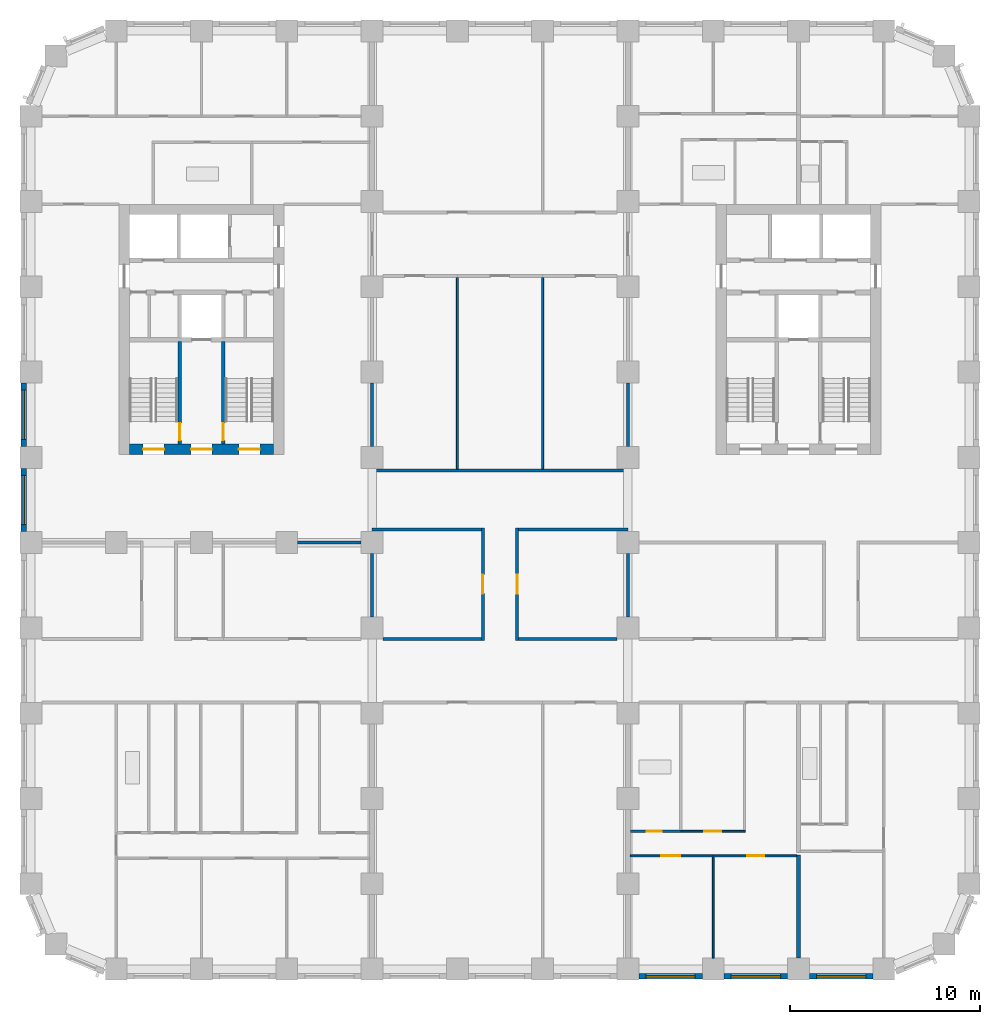
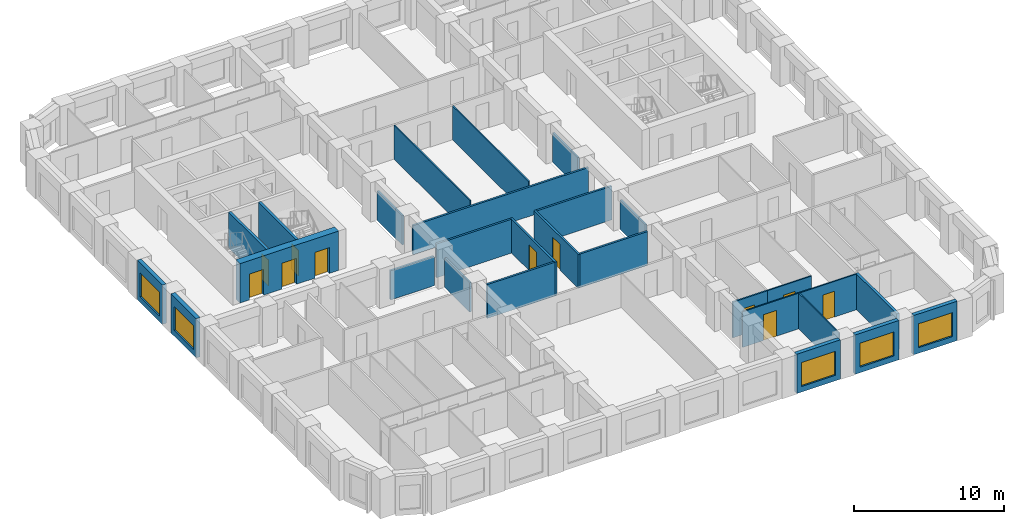
# One storey, part 4 of 13: 28 walls, 11 doors, 5 windows, 16 openings.
"""IFC4 building model written with IfcOpenShell, lengths in metres."""

import ifcopenshell
import ifcopenshell.guid

model = None  # the IFC model being written
_history = None  # IfcOwnerHistory: only IFC2X3 demands one
_inside = {}  # id of a spatial element -> (the spatial element, [elements in it])
_under = {}  # id of a project, library or spatial element -> (it, [spatial elements below it])
_declared = {}  # id of a project -> (the project, [libraries it declares])
_typed = {}  # id of a type object -> (the type object, [elements of that type])
_made_of = {}  # id of a material, layer set ... -> (it, [elements and type objects made of it])


def new_model(schema):
    """Start an empty IFC model of exactly this schema.

    Asked for "IFC4X3", IfcOpenShell would pick the latest addendum, in which some entities
    have other attributes; the version numbers below select the first issue.
    IFC2X3 requires an IfcOwnerHistory on every rooted entity: one is made here for all.
    """
    global model, _history
    if schema == "IFC4X3":
        model = ifcopenshell.file(schema_version=(4, 3, 0, 0))
    else:
        model = ifcopenshell.file(schema=schema)
    _inside.clear()
    _under.clear()
    _declared.clear()
    _typed.clear()
    _made_of.clear()
    _history = None
    if model.schema == "IFC2X3":
        org = make("IfcOrganization", Name="unknown")
        user = make(
            "IfcPersonAndOrganization",
            ThePerson=make("IfcPerson", FamilyName="unknown"),
            TheOrganization=org,
        )
        app = make(
            "IfcApplication",
            ApplicationDeveloper=org,
            Version="unknown",
            ApplicationFullName="unknown",
            ApplicationIdentifier="unknown",
        )
        _history = make(
            "IfcOwnerHistory",
            OwningUser=user,
            OwningApplication=app,
            ChangeAction="ADDED",
            CreationDate=0,
        )
    return model


def make(cls, **values):
    """One entity of the class cls with the attributes given. An attribute that is None is left unset."""
    return model.create_entity(
        cls, **{name: value for name, value in values.items() if value is not None}
    )


def rooted(cls, **values):
    """An entity with a GlobalId (a new one), such as an element, a storey or a relation."""
    return make(cls, GlobalId=ifcopenshell.guid.new(), OwnerHistory=_history, **values)


def si_unit(unit_type, name, prefix=None):
    """IfcSIUnit, for example si_unit("LENGTHUNIT", "METRE", prefix="MILLI")."""
    return make("IfcSIUnit", UnitType=unit_type, Prefix=prefix, Name=name)


def assignment(units):
    """IfcUnitAssignment: the units of a project."""
    return None if units is None else make("IfcUnitAssignment", Units=units)


def point(xyz):
    """IfcCartesianPoint."""
    return None if xyz is None else make("IfcCartesianPoint", Coordinates=xyz)


def direction(xyz):
    """IfcDirection."""
    return None if xyz is None else make("IfcDirection", DirectionRatios=xyz)


def frame(location, z_axis=None, x_axis=None):
    """IfcAxis2Placement3D, a coordinate frame: its origin and axes. An axis left out is left unset."""
    return make(
        "IfcAxis2Placement3D",
        Location=point(location),
        Axis=direction(z_axis),
        RefDirection=direction(x_axis),
    )


def frame_2d(location, x_axis=None):
    """IfcAxis2Placement2D, a coordinate frame in the plane: its origin and x axis."""
    return make(
        "IfcAxis2Placement2D", Location=point(location), RefDirection=direction(x_axis)
    )


def origin():
    """The frame at (0, 0, 0) with its axes left unset."""
    return frame((0.0, 0.0, 0.0))


def place(relative_to, where):
    """IfcLocalPlacement: puts the frame where relative to a parent placement (None: the world)."""
    return make(
        "IfcLocalPlacement", PlacementRelTo=relative_to, RelativePlacement=where
    )


def context(
    kind, dimensions, precision=None, world=None, true_north=None, identifier=None
):
    """IfcGeometricRepresentationContext, for example the 3D "Model" context."""
    return make(
        "IfcGeometricRepresentationContext",
        ContextIdentifier=identifier,
        ContextType=kind,
        CoordinateSpaceDimension=dimensions,
        Precision=precision,
        WorldCoordinateSystem=world,
        TrueNorth=true_north,
    )


def subcontext(parent, identifier, kind, view, scale=None):
    """IfcGeometricRepresentationSubContext, for example "Body" below "Model"."""
    return make(
        "IfcGeometricRepresentationSubContext",
        ContextIdentifier=identifier,
        ContextType=kind,
        ParentContext=parent,
        TargetScale=scale,
        TargetView=view,
    )


def project(units=None, contexts=None):
    """IfcProject with its units and contexts."""
    return rooted(
        "IfcProject",
        Name="project",
        RepresentationContexts=contexts,
        UnitsInContext=assignment(units),
    )


def spatial(cls, under=None, at=None, **own):
    """A site, building, storey or space (cls), placed at a placement, below another one or the project."""
    s = rooted(cls, ObjectPlacement=at, **own)
    if under is not None:
        _under.setdefault(under.id(), (under, []))[1].append(s)
    return s


def profile(cls, at=None, kind="AREA", **sizes):
    """A parametric profile (cls). Its sizes go by their IFC names, for example OverallWidth=200.0."""
    return make(cls, ProfileType=kind, Position=at, **sizes)


def rectangle(**sizes):
    """IfcRectangleProfileDef."""
    return profile("IfcRectangleProfileDef", **sizes)


def extrude(swept, where, along, depth):
    """IfcExtrudedAreaSolid: the profile swept, set in the frame where, extruded along a direction by depth."""
    return make(
        "IfcExtrudedAreaSolid",
        SweptArea=swept,
        Position=where,
        ExtrudedDirection=direction(along),
        Depth=depth,
    )


def shape(context_of_items, identifier, shape_type, items):
    """IfcShapeRepresentation: the items that make up one representation, for example the "Body"."""
    return make(
        "IfcShapeRepresentation",
        ContextOfItems=context_of_items,
        RepresentationIdentifier=identifier,
        RepresentationType=shape_type,
        Items=items,
    )


def material(Name=None, Category=None):
    """IfcMaterial."""
    return make("IfcMaterial", Name=Name, Category=Category)


def layer(
    of_material, thickness, ventilated=None, Name=None, Category=None, Priority=None
):
    """IfcMaterialLayer: one layer of a wall or slab, of a material (None: an air gap)."""
    return make(
        "IfcMaterialLayer",
        Material=of_material,
        LayerThickness=thickness,
        IsVentilated=ventilated,
        Name=Name,
        Category=Category,
        Priority=Priority,
    )


def layer_set(layers, Name=None):
    """IfcMaterialLayerSet."""
    return make("IfcMaterialLayerSet", MaterialLayers=layers, LayerSetName=Name)


def made_of(thing, what):
    """Note that an element or type object is made of a material, layer set ...; save() writes the relation."""
    if what is not None:
        _made_of.setdefault(what.id(), (what, []))[1].append(thing)
    return thing


def type_object(cls, material=None, **own):
    """A type object (cls), such as IfcWallType, which elements share."""
    return made_of(rooted(cls, **own), material)


def element(
    cls,
    number,
    at=None,
    inside=None,
    cuts=None,
    type_object=None,
    material=None,
    context=None,
    identifier="Body",
    shape_type=None,
    held_by="IfcProductDefinitionShape",
    body=None,
    shapes=None,
    **own,
):
    """One element of the class cls, such as IfcWall. Its Tag is "e" and its number.

    at: its placement. inside: the storey or other place that contains it. cuts: it is an
    opening in that element (IfcRelVoidsElement). A single representation is given by context,
    identifier, shape_type and body (its items); several are given by shapes. held_by: the class
    of the entity that holds the representations. save() writes the other relations.
    """
    e = rooted(cls, Tag="e%d" % number, ObjectPlacement=at, **own)
    if body is not None:
        shapes = [shape(context, identifier, shape_type, body)]
    if shapes is not None:
        e.Representation = make(held_by, Representations=shapes)
    if inside is not None:
        _inside.setdefault(inside.id(), (inside, []))[1].append(e)
    if cuts is not None:
        rooted(
            "IfcRelVoidsElement", RelatingBuildingElement=cuts, RelatedOpeningElement=e
        )
    if type_object is not None:
        _typed.setdefault(type_object.id(), (type_object, []))[1].append(e)
    return made_of(e, material)


def fill(opening, filler):
    """IfcRelFillsElement: the door or window that sits in an opening."""
    return rooted(
        "IfcRelFillsElement",
        RelatingOpeningElement=opening,
        RelatedBuildingElement=filler,
    )


def aggregate(whole, parts):
    """IfcRelAggregates: a whole, such as a stair, and the parts it consists of."""
    return rooted("IfcRelAggregates", RelatingObject=whole, RelatedObjects=parts)


def save(model, path):
    """Write the relations noted so far, then the file.

    IfcRelAggregates (storeys below a building ...), IfcRelContainedInSpatialStructure (elements
    in a storey), IfcRelDefinesByType, IfcRelAssociatesMaterial and IfcRelDeclares: one each for
    every whole, place, type object, material and project.
    """
    for whole, parts in _under.values():
        aggregate(whole, parts)
    for where, things in _inside.values():
        rooted(
            "IfcRelContainedInSpatialStructure",
            RelatedElements=things,
            RelatingStructure=where,
        )
    for kind, things in _typed.values():
        rooted("IfcRelDefinesByType", RelatedObjects=things, RelatingType=kind)
    for what, things in _made_of.values():
        rooted("IfcRelAssociatesMaterial", RelatedObjects=things, RelatingMaterial=what)
    for by, libraries in _declared.values():
        rooted("IfcRelDeclares", RelatingContext=by, RelatedDefinitions=libraries)
    model.write(path)


model = new_model("IFC4")

# Units and contexts
model_context = context("Model", 3, precision=1e-05, world=origin(), true_north=direction((0.0, 1.0)))
body_context = subcontext(model_context, "Body", "Model", "MODEL_VIEW")
ifc_project = project(units=[si_unit("LENGTHUNIT", "METRE"), si_unit("AREAUNIT", "SQUARE_METRE"), si_unit("VOLUMEUNIT", "CUBIC_METRE"), si_unit("PLANEANGLEUNIT", "RADIAN"), si_unit("MASSUNIT", "GRAM", prefix="KILO")], contexts=[model_context])

# Site, building, storey
site_placement = place(None, origin())
site = spatial("IfcSite", under=ifc_project, at=site_placement, CompositionType="ELEMENT")
building_placement = place(site_placement, origin())
building = spatial("IfcBuilding", under=site, at=building_placement, Name="Girih Gate Residences", CompositionType="ELEMENT")
storey_placement = place(building_placement, frame((0.0, 0.0, 99.199951171875)))
storey = spatial("IfcBuildingStorey", under=building, at=storey_placement, Name="L27", CompositionType="ELEMENT", Elevation=99.199951171875)

# Wall, opening, door
ifc_material_1 = material(Name="Gypsum board on steel studs", Category="steel")
ifc_layer_1 = layer(ifc_material_1, 0.14990234375)
ifc_layer_set_1 = layer_set([ifc_layer_1], Name="Compartment wall 150 mm")
wall_type_1 = type_object("IfcWallType", Name="Compartment wall 150 mm", PredefinedType="PARTITIONING", material=ifc_layer_set_1)
wall_1_placement = place(storey_placement, frame((23.85009765625, 17.35009765625, 0.0), z_axis=(0.0, 0.0, 1.0), x_axis=(0.0, 1.0, 0.0)))
wall_1 = element("IfcWall", 1, at=wall_1_placement, inside=storey, type_object=wall_type_1, Name="L27 partition", PredefinedType="PARTITIONING", context=body_context, shape_type="SweptSolid", body=[
    extrude(rectangle(XDim=5.9248046875, YDim=0.14990234375, at=frame_2d((2.96240234375, 0.0))), origin(), (0.0, 0.0, 1.0), 2.75),
])
opening_1_placement = place(wall_1_placement, frame((2.46240234375, 0.0, 0.0)))
opening_1 = element("IfcOpeningElement", 2, at=opening_1_placement, cuts=wall_1, Name="Opening A27-048", PredefinedType="OPENING", context=body_context, shape_type="SweptSolid", body=[
    extrude(rectangle(XDim=1.0, YDim=2.10009765625, at=frame_2d((0.5, 1.050048828125))), frame((0.0, 0.0849609375, 0.0), z_axis=(0.0, -1.0, 0.0), x_axis=(1.0, 0.0, 0.0)), (0.0, 0.0, 1.0), 0.169921875),
])
ifc_material_2 = material(Name="Timber, fire-rated core", Category="wood")
door_type_1 = type_object("IfcDoorType", Name="Amenity room door 1000x2100 FD30S", OperationType="NOTDEFINED", PredefinedType="DOOR", material=ifc_material_2)
door_1_placement = place(opening_1_placement, origin())
door_1 = element("IfcDoor", 3, at=door_1_placement, inside=storey, type_object=door_type_1, Name="Door A27-048", OperationType="SINGLE_SWING_RIGHT", OverallHeight=2.10009765625, OverallWidth=1.0, PredefinedType="DOOR", context=body_context, shape_type="SweptSolid", body=[
    extrude(rectangle(XDim=1.0, YDim=2.10009765625, at=frame_2d((0.5, 1.050048828125))), frame((0.0, 0.02490234375, 0.0), z_axis=(0.0, -1.0, 0.0), x_axis=(1.0, 0.0, 0.0)), (0.0, 0.0, 1.0), 0.050048828125),
])
fill(opening_1, door_1)

wall_2_placement = place(storey_placement, frame((25.64990234375, 23.27490234375, 0.0), z_axis=(0.0, 0.0, 1.0), x_axis=(0.0, -1.0, 0.0)))
wall_2 = element("IfcWall", 4, at=wall_2_placement, inside=storey, type_object=wall_type_1, Name="L27 partition", PredefinedType="PARTITIONING", context=body_context, shape_type="SweptSolid", body=[
    extrude(rectangle(XDim=5.9248046875, YDim=0.14990234375, at=frame_2d((2.96240234375, 0.0))), origin(), (0.0, 0.0, 1.0), 2.75),
])
opening_2_placement = place(wall_2_placement, frame((2.46240234375, 0.0, 0.0)))
opening_2 = element("IfcOpeningElement", 5, at=opening_2_placement, cuts=wall_2, Name="Opening A27-049", PredefinedType="OPENING", context=body_context, shape_type="SweptSolid", body=[
    extrude(rectangle(XDim=1.0, YDim=2.10009765625, at=frame_2d((0.5, 1.050048828125))), frame((0.0, 0.0849609375, 0.0), z_axis=(0.0, -1.0, 0.0), x_axis=(1.0, 0.0, 0.0)), (0.0, 0.0, 1.0), 0.169921875),
])
door_2_placement = place(opening_2_placement, origin())
door_2 = element("IfcDoor", 6, at=door_2_placement, inside=storey, type_object=door_type_1, Name="Door A27-049", OperationType="SINGLE_SWING_RIGHT", OverallHeight=2.10009765625, OverallWidth=1.0, PredefinedType="DOOR", context=body_context, shape_type="SweptSolid", body=[
    extrude(rectangle(XDim=1.0, YDim=2.10009765625, at=frame_2d((0.5, 1.050048828125))), frame((0.0, 0.02490234375, 0.0), z_axis=(0.0, -1.0, 0.0), x_axis=(1.0, 0.0, 0.0)), (0.0, 0.0, 1.0), 0.050048828125),
])
fill(opening_2, door_2)

# Walls
for number, where, z_axis, x_axis, name in (
    (7, (18.574951171875, 17.425048828125, 0.0), (0.0, 0.0, 1.0), (1.0, 0.0, 0.0), "L27 partition"),
    (8, (25.72509765625, 17.425048828125, 0.0), (0.0, 0.0, 1.0), (1.0, 0.0, 0.0), "L27 partition"),
):
    element("IfcWall", number, at=place(storey_placement, frame(where, z_axis=z_axis, x_axis=x_axis)), inside=storey, type_object=wall_type_1, Name=name, PredefinedType="PARTITIONING", context=body_context, shape_type="SweptSolid", body=[
        extrude(rectangle(XDim=5.199951171875, YDim=0.14990234375, at=frame_2d((2.60009765625, 0.0))), origin(), (0.0, 0.0, 1.0), 2.75),
    ])
wall_3_placement = place(storey_placement, frame((18.0, 27.574951171875, 0.0), z_axis=(0.0, 0.0, 1.0), x_axis=(0.0, 1.0, 0.0)))
element("IfcWall", 9, at=wall_3_placement, inside=storey, type_object=wall_type_1, Name="L27 partition", PredefinedType="PARTITIONING", context=body_context, shape_type="SweptSolid", body=[
    extrude(rectangle(XDim=3.35009765625, YDim=0.14990234375, at=frame_2d((1.675048828125, 0.0))), origin(), (0.0, 0.0, 1.0), 2.380126953125),
])
wall_4_placement = place(storey_placement, frame((18.0, 26.300048828125, 0.0), z_axis=(0.0, 0.0, 1.0), x_axis=(1.0, 0.0, 0.0)))
element("IfcWall", 10, at=wall_4_placement, inside=storey, type_object=wall_type_1, Name="L27 partition", PredefinedType="PARTITIONING", context=body_context, shape_type="SweptSolid", body=[
    extrude(rectangle(XDim=13.5, YDim=0.14990234375, at=frame_2d((6.75, 0.0))), origin(), (0.0, 0.0, 1.0), 2.380126953125),
])
wall_5_placement = place(storey_placement, frame((31.5, 27.574951171875, 0.0), z_axis=(0.0, 0.0, 1.0), x_axis=(0.0, 1.0, 0.0)))
element("IfcWall", 11, at=wall_5_placement, inside=storey, type_object=wall_type_1, Name="L27 partition", PredefinedType="PARTITIONING", context=body_context, shape_type="SweptSolid", body=[
    extrude(rectangle(XDim=3.35009765625, YDim=0.14990234375, at=frame_2d((1.675048828125, 0.0))), origin(), (0.0, 0.0, 1.0), 2.380126953125),
])
wall_6_placement = place(storey_placement, frame((18.0, 23.199951171875, 0.0), z_axis=(0.0, 0.0, 1.0), x_axis=(1.0, 0.0, 0.0)))
element("IfcWall", 12, at=wall_6_placement, inside=storey, type_object=wall_type_1, Name="L27 partition", PredefinedType="PARTITIONING", context=body_context, shape_type="SweptSolid", body=[
    extrude(rectangle(XDim=5.77490234375, YDim=0.14990234375, at=frame_2d((2.887451171875, 0.0))), origin(), (0.0, 0.0, 1.0), 2.75),
])
wall_7_placement = place(storey_placement, frame((18.0, 18.574951171875, 0.0), z_axis=(0.0, 0.0, 1.0), x_axis=(0.0, 1.0, 0.0)))
element("IfcWall", 13, at=wall_7_placement, inside=storey, type_object=wall_type_1, Name="L27 partition", PredefinedType="PARTITIONING", context=body_context, shape_type="SweptSolid", body=[
    extrude(rectangle(XDim=3.35009765625, YDim=0.14990234375, at=frame_2d((1.675048828125, 0.0))), origin(), (0.0, 0.0, 1.0), 2.380126953125),
])
wall_8_placement = place(storey_placement, frame((25.72509765625, 23.199951171875, 0.0), z_axis=(0.0, 0.0, 1.0), x_axis=(1.0, 0.0, 0.0)))
element("IfcWall", 14, at=wall_8_placement, inside=storey, type_object=wall_type_1, Name="L27 partition", PredefinedType="PARTITIONING", context=body_context, shape_type="SweptSolid", body=[
    extrude(rectangle(XDim=5.77490234375, YDim=0.14990234375, at=frame_2d((2.887451171875, 0.0))), origin(), (0.0, 0.0, 1.0), 2.75),
])
for number, where, z_axis, x_axis, name in (
    (15, (31.5, 18.574951171875, 0.0), (0.0, 0.0, 1.0), (0.0, 1.0, 0.0), "L27 partition"),
    (16, (14.074951171875, 22.5, 0.0), (0.0, 0.0, 1.0), (1.0, 0.0, 0.0), "L27 partition"),
):
    element("IfcWall", number, at=place(storey_placement, frame(where, z_axis=z_axis, x_axis=x_axis)), inside=storey, type_object=wall_type_1, Name=name, PredefinedType="PARTITIONING", context=body_context, shape_type="SweptSolid", body=[
        extrude(rectangle(XDim=3.35009765625, YDim=0.14990234375, at=frame_2d((1.675048828125, 0.0))), origin(), (0.0, 0.0, 1.0), 2.380126953125),
    ])

# Wall, openings, doors
ifc_material_3 = material(Name="Concrete C60/75", Category="concrete")
ifc_layer_2 = layer(ifc_material_3, 0.550048828125)
ifc_layer_set_2 = layer_set([ifc_layer_2], Name="Core wall RC 550 Concrete C60/75")
wall_type_2 = type_object("IfcWallType", Name="Core wall RC 550 Concrete C60/75", PredefinedType="SOLIDWALL", material=ifc_layer_set_2)
wall_9_placement = place(storey_placement, frame((5.199951171875, 27.425048828125, 0.0), z_axis=(0.0, 0.0, 1.0), x_axis=(1.0, 0.0, 0.0)))
wall_9 = element("IfcWall", 17, at=wall_9_placement, inside=storey, type_object=wall_type_2, Name="Core wall W-S L27", PredefinedType="SOLIDWALL", context=body_context, shape_type="SweptSolid", body=[
    extrude(rectangle(XDim=7.60009765625, YDim=0.550048828125, at=frame_2d((3.800048828125, 0.0))), origin(), (0.0, 0.0, 1.0), 3.199951171875),
])
opening_3_placement = place(wall_9_placement, frame((0.72509765625, 0.0, 0.0)))
opening_3 = element("IfcOpeningElement", 18, at=opening_3_placement, cuts=wall_9, Name="Opening D-L27-W-010", PredefinedType="OPENING", context=body_context, shape_type="SweptSolid", body=[
    extrude(rectangle(XDim=1.10009765625, YDim=2.10009765625, at=frame_2d((0.550048828125, 1.050048828125))), frame((0.0, 0.284912109375, 0.0), z_axis=(0.0, -1.0, 0.0), x_axis=(1.0, 0.0, 0.0)), (0.0, 0.0, 1.0), 0.570068359375),
])
opening_4_placement = place(wall_9_placement, frame((3.25, 0.0, 0.0)))
opening_4 = element("IfcOpeningElement", 19, at=opening_4_placement, cuts=wall_9, Name="Opening D-L27-W-011", PredefinedType="OPENING", context=body_context, shape_type="SweptSolid", body=[
    extrude(rectangle(XDim=1.10009765625, YDim=2.10009765625, at=frame_2d((0.550048828125, 1.050048828125))), frame((0.0, 0.284912109375, 0.0), z_axis=(0.0, -1.0, 0.0), x_axis=(1.0, 0.0, 0.0)), (0.0, 0.0, 1.0), 0.570068359375),
])
opening_5_placement = place(wall_9_placement, frame((5.77490234375, 0.0, 0.0)))
opening_5 = element("IfcOpeningElement", 20, at=opening_5_placement, cuts=wall_9, Name="Opening D-L27-W-012", PredefinedType="OPENING", context=body_context, shape_type="SweptSolid", body=[
    extrude(rectangle(XDim=1.10009765625, YDim=2.10009765625, at=frame_2d((0.550048828125, 1.050048828125))), frame((0.0, 0.284912109375, 0.0), z_axis=(0.0, -1.0, 0.0), x_axis=(1.0, 0.0, 0.0)), (0.0, 0.0, 1.0), 0.570068359375),
])
ifc_material_4 = material(Name="Painted steel, fire-resisting", Category="steel")
door_type_2 = type_object("IfcDoorType", Name="Fire door 1100x2100", OperationType="SINGLE_SWING_LEFT", PredefinedType="DOOR", material=ifc_material_4)
door_3_placement = place(opening_3_placement, origin())
door_3 = element("IfcDoor", 21, at=door_3_placement, inside=storey, type_object=door_type_2, Name="L27 W core door sta-out", OperationType="SINGLE_SWING_LEFT", OverallHeight=2.10009765625, OverallWidth=1.10009765625, PredefinedType="DOOR", context=body_context, shape_type="SweptSolid", body=[
    extrude(rectangle(XDim=1.10009765625, YDim=2.10009765625, at=frame_2d((0.550048828125, 1.050048828125))), frame((0.0, 0.02490234375, 0.0), z_axis=(0.0, -1.0, 0.0), x_axis=(1.0, 0.0, 0.0)), (0.0, 0.0, 1.0), 0.050048828125),
])
fill(opening_3, door_3)
door_4_placement = place(opening_4_placement, origin())
door_4 = element("IfcDoor", 22, at=door_4_placement, inside=storey, type_object=door_type_2, Name="L27 W core door ffl-out", OperationType="SINGLE_SWING_LEFT", OverallHeight=2.10009765625, OverallWidth=1.10009765625, PredefinedType="DOOR", context=body_context, shape_type="SweptSolid", body=[
    extrude(rectangle(XDim=1.10009765625, YDim=2.10009765625, at=frame_2d((0.550048828125, 1.050048828125))), frame((0.0, 0.02490234375, 0.0), z_axis=(0.0, -1.0, 0.0), x_axis=(1.0, 0.0, 0.0)), (0.0, 0.0, 1.0), 0.050048828125),
])
fill(opening_4, door_4)
door_5_placement = place(opening_5_placement, origin())
door_5 = element("IfcDoor", 23, at=door_5_placement, inside=storey, type_object=door_type_2, Name="L27 W core door stb-out", OperationType="SINGLE_SWING_LEFT", OverallHeight=2.10009765625, OverallWidth=1.10009765625, PredefinedType="DOOR", context=body_context, shape_type="SweptSolid", body=[
    extrude(rectangle(XDim=1.10009765625, YDim=2.10009765625, at=frame_2d((0.550048828125, 1.050048828125))), frame((0.0, 0.02490234375, 0.0), z_axis=(0.0, -1.0, 0.0), x_axis=(1.0, 0.0, 0.0)), (0.0, 0.0, 1.0), 0.050048828125),
])
fill(opening_5, door_5)

# Wall, opening, door
ifc_layer_3 = layer(ifc_material_1, 0.10009765625)
ifc_layer_set_3 = layer_set([ifc_layer_3], Name="Partition 100 mm")
wall_type_3 = type_object("IfcWallType", Name="Partition 100 mm", PredefinedType="PARTITIONING", material=ifc_layer_set_3)
wall_10_placement = place(storey_placement, frame((40.39990234375, 5.97509765625, 0.0), z_axis=(0.0, 0.0, 1.0), x_axis=(-1.0, 0.0, 0.0)))
wall_10 = element("IfcWall", 24, at=wall_10_placement, inside=storey, type_object=wall_type_3, Name="L27 partition", PredefinedType="PARTITIONING", context=body_context, shape_type="SweptSolid", body=[
    extrude(rectangle(XDim=4.39990234375, YDim=0.10009765625, at=frame_2d((2.199951171875, 0.0))), origin(), (0.0, 0.0, 1.0), 2.900146484375),
])
opening_6_placement = place(wall_10_placement, frame((1.699951171875, 0.0, 0.0)))
opening_6 = element("IfcOpeningElement", 25, at=opening_6_placement, cuts=wall_10, Name="Opening A27-025", PredefinedType="OPENING", context=body_context, shape_type="SweptSolid", body=[
    extrude(rectangle(XDim=0.89990234375, YDim=2.10009765625, at=frame_2d((0.449951171875, 1.050048828125))), frame((0.0, 0.06005859375, 0.0), z_axis=(0.0, -1.0, 0.0), x_axis=(1.0, 0.0, 0.0)), (0.0, 0.0, 1.0), 0.1201171875),
])
ifc_material_5 = material(Name="Timber", Category="wood")
door_type_3 = type_object("IfcDoorType", Name="Bedroom door 900x2100", OperationType="NOTDEFINED", PredefinedType="DOOR", material=ifc_material_5)
door_6_placement = place(opening_6_placement, origin())
door_6 = element("IfcDoor", 26, at=door_6_placement, inside=storey, type_object=door_type_3, Name="Door A27-025", OperationType="SINGLE_SWING_LEFT", OverallHeight=2.10009765625, OverallWidth=0.89990234375, PredefinedType="DOOR", context=body_context, shape_type="SweptSolid", body=[
    extrude(rectangle(XDim=0.89990234375, YDim=2.10009765625, at=frame_2d((0.449951171875, 1.050048828125))), frame((0.0, 0.02490234375, 0.0), z_axis=(0.0, -1.0, 0.0), x_axis=(1.0, 0.0, 0.0)), (0.0, 0.0, 1.0), 0.050048828125),
])
fill(opening_6, door_6)

# Wall
wall_11_placement = place(storey_placement, frame((36.0, 0.574951171875, 0.0), z_axis=(0.0, 0.0, 1.0), x_axis=(0.0, 1.0, 0.0)))
element("IfcWall", 27, at=wall_11_placement, inside=storey, type_object=wall_type_3, Name="L27 partition", PredefinedType="PARTITIONING", context=body_context, shape_type="SweptSolid", body=[
    extrude(rectangle(XDim=5.35009765625, YDim=0.10009765625, at=frame_2d((2.675048828125, 0.0))), origin(), (0.0, 0.0, 1.0), 2.900146484375),
])

# Wall, opening, door
wall_12_placement = place(storey_placement, frame((34.287109375, 7.27490234375, 0.0), z_axis=(0.0, 0.0, 1.0), x_axis=(1.0, 0.0, 0.0)))
wall_12 = element("IfcWall", 28, at=wall_12_placement, inside=storey, type_object=wall_type_3, Name="L27 partition", PredefinedType="PARTITIONING", context=body_context, shape_type="SweptSolid", body=[
    extrude(rectangle(XDim=3.412841796875, YDim=0.10009765625, at=frame_2d((1.70654296875, 0.0))), origin(), (0.0, 0.0, 1.0), 2.900146484375),
])
opening_7_placement = place(wall_12_placement, frame((1.2314453125, 0.0, 0.0)))
opening_7 = element("IfcOpeningElement", 29, at=opening_7_placement, cuts=wall_12, Name="Opening A27-026", PredefinedType="OPENING", context=body_context, shape_type="SweptSolid", body=[
    extrude(rectangle(XDim=0.89990234375, YDim=2.10009765625, at=frame_2d((0.449951171875, 1.050048828125))), frame((0.0, 0.06005859375, 0.0), z_axis=(0.0, -1.0, 0.0), x_axis=(1.0, 0.0, 0.0)), (0.0, 0.0, 1.0), 0.1201171875),
])
door_type_4 = type_object("IfcDoorType", Name="Kitchen door 900x2100", OperationType="NOTDEFINED", PredefinedType="DOOR", material=ifc_material_5)
door_7_placement = place(opening_7_placement, origin())
door_7 = element("IfcDoor", 30, at=door_7_placement, inside=storey, type_object=door_type_4, Name="Door A27-026", OperationType="SINGLE_SWING_LEFT", OverallHeight=2.10009765625, OverallWidth=0.89990234375, PredefinedType="DOOR", context=body_context, shape_type="SweptSolid", body=[
    extrude(rectangle(XDim=0.89990234375, YDim=2.10009765625, at=frame_2d((0.449951171875, 1.050048828125))), frame((0.0, 0.02490234375, 0.0), z_axis=(0.0, -1.0, 0.0), x_axis=(1.0, 0.0, 0.0)), (0.0, 0.0, 1.0), 0.050048828125),
])
fill(opening_7, door_7)

wall_13_placement = place(storey_placement, frame((36.0, 5.97509765625, 0.0), z_axis=(0.0, 0.0, 1.0), x_axis=(-1.0, 0.0, 0.0)))
wall_13 = element("IfcWall", 31, at=wall_13_placement, inside=storey, type_object=wall_type_3, Name="L27 partition", PredefinedType="PARTITIONING", context=body_context, shape_type="SweptSolid", body=[
    extrude(rectangle(XDim=4.375, YDim=0.10009765625, at=frame_2d((2.1875, 0.0))), origin(), (0.0, 0.0, 1.0), 2.900146484375),
])
opening_8_placement = place(wall_13_placement, frame((1.75, 0.0, 0.0)))
opening_8 = element("IfcOpeningElement", 32, at=opening_8_placement, cuts=wall_13, Name="Opening A27-027", PredefinedType="OPENING", context=body_context, shape_type="SweptSolid", body=[
    extrude(rectangle(XDim=1.0, YDim=2.10009765625, at=frame_2d((0.5, 1.050048828125))), frame((0.0, 0.06005859375, 0.0), z_axis=(0.0, -1.0, 0.0), x_axis=(1.0, 0.0, 0.0)), (0.0, 0.0, 1.0), 0.1201171875),
])
door_type_5 = type_object("IfcDoorType", Name="Living room door 1000x2100", OperationType="NOTDEFINED", PredefinedType="DOOR", material=ifc_material_5)
door_8_placement = place(opening_8_placement, origin())
door_8 = element("IfcDoor", 33, at=door_8_placement, inside=storey, type_object=door_type_5, Name="Door A27-027", OperationType="SINGLE_SWING_RIGHT", OverallHeight=2.10009765625, OverallWidth=1.0, PredefinedType="DOOR", context=body_context, shape_type="SweptSolid", body=[
    extrude(rectangle(XDim=1.0, YDim=2.10009765625, at=frame_2d((0.5, 1.050048828125))), frame((0.0, 0.02490234375, 0.0), z_axis=(0.0, -1.0, 0.0), x_axis=(1.0, 0.0, 0.0)), (0.0, 0.0, 1.0), 0.050048828125),
])
fill(opening_8, door_8)

# Walls
for number, where, z_axis, x_axis, name in (
    (34, (22.5, 26.375, 0.0), (0.0, 0.0, 1.0), (0.0, 1.0, 0.0), "L27 partition"),
    (35, (27.0, 26.375, 0.0), (0.0, 0.0, 1.0), (0.0, 1.0, 0.0), "L27 partition"),
):
    element("IfcWall", number, at=place(storey_placement, frame(where, z_axis=z_axis, x_axis=x_axis)), inside=storey, type_object=wall_type_3, Name=name, PredefinedType="PARTITIONING", context=body_context, shape_type="SweptSolid", body=[
        extrude(rectangle(XDim=10.125, YDim=0.10009765625, at=frame_2d((5.0625, 0.0))), origin(), (0.0, 0.0, 1.0), 2.75),
    ])
ifc_layer_4 = layer(ifc_material_1, 0.199951171875)
ifc_layer_set_4 = layer_set([ifc_layer_4], Name="Party wall 200 mm")
wall_type_4 = type_object("IfcWallType", Name="Party wall 200 mm", PredefinedType="PARTITIONING", material=ifc_layer_set_4)
wall_14_placement = place(storey_placement, frame((40.5, 0.574951171875, 0.0), z_axis=(0.0, 0.0, 1.0), x_axis=(0.0, 1.0, 0.0)))
element("IfcWall", 36, at=wall_14_placement, inside=storey, type_object=wall_type_4, Name="L27 partition", PredefinedType="PARTITIONING", context=body_context, shape_type="SweptSolid", body=[
    extrude(rectangle(XDim=5.449951171875, YDim=0.199951171875, at=frame_2d((2.72509765625, 0.0))), origin(), (0.0, 0.0, 1.0), 2.900146484375),
])

# Wall, opening, window
ifc_material_6 = material(Name="Precast concrete C50/60", Category="concrete")
ifc_layer_5 = layer(ifc_material_6, 0.080078125, Name="Outer leaf")
ifc_material_7 = material(Name="Rigid PIR insulation")
ifc_layer_6 = layer(ifc_material_7, 0.14990234375, Name="Insulation")
ifc_material_8 = material(Name="Precast concrete C40/50", Category="concrete")
ifc_layer_7 = layer(ifc_material_8, 0.070068359375, Name="Inner leaf")
ifc_layer_set_5 = layer_set([ifc_layer_5, ifc_layer_6, ifc_layer_7], Name="Precast concrete C50/60 external wall 300")
wall_type_5 = type_object("IfcWallType", Name="Precast concrete C50/60 external wall 300", PredefinedType="SOLIDWALL", material=ifc_layer_set_5)
wall_15_placement = place(storey_placement, frame((35.425048828125, -0.375, 0.0), z_axis=(0.0, 0.0, 1.0), x_axis=(-1.0, 0.0, 0.0)))
wall_15 = element("IfcWall", 37, at=wall_15_placement, inside=storey, type_object=wall_type_5, Name="External wall S0045_0000.6", PredefinedType="SOLIDWALL", context=body_context, shape_type="SweptSolid", body=[
    extrude(rectangle(XDim=3.35009765625, YDim=0.300048828125, at=frame_2d((1.675048828125, 0.0))), origin(), (0.0, 0.0, 1.0), 3.199951171875),
])
opening_9_placement = place(wall_15_placement, frame((0.375, 0.0, 0.449951171875)))
opening_9 = element("IfcOpeningElement", 38, at=opening_9_placement, cuts=wall_15, Name="Opening W-1A", PredefinedType="OPENING", context=body_context, shape_type="SweptSolid", body=[
    extrude(rectangle(XDim=2.60009765625, YDim=1.949951171875, at=frame_2d((1.300048828125, 0.97509765625))), frame((0.0, 0.159912109375, 0.0), z_axis=(0.0, -1.0, 0.0), x_axis=(1.0, 0.0, 0.0)), (0.0, 0.0, 1.0), 0.320068359375),
])
ifc_material_9 = material(Name="Double glazing in aluminium frame", Category="aluminium")
window_type = type_object("IfcWindowType", Name="Window W-1A 2600x1950", PartitioningType="SINGLE_PANEL", PredefinedType="WINDOW", material=ifc_material_9)
window_1_placement = place(opening_9_placement, origin())
window_1 = element("IfcWindow", 39, at=window_1_placement, inside=storey, type_object=window_type, Name="Window W-1A S0045_0000.6", OverallHeight=1.949951171875, OverallWidth=2.60009765625, PartitioningType="SINGLE_PANEL", PredefinedType="WINDOW", context=body_context, shape_type="SweptSolid", body=[
    extrude(rectangle(XDim=2.60009765625, YDim=1.949951171875, at=frame_2d((1.300048828125, 0.97509765625))), frame((0.0, 0.030029296875, 0.0), z_axis=(0.0, -1.0, 0.0), x_axis=(1.0, 0.0, 0.0)), (0.0, 0.0, 1.0), 0.06005859375),
])
fill(opening_9, window_1)

wall_16_placement = place(storey_placement, frame((39.925048828125, -0.375, 0.0), z_axis=(0.0, 0.0, 1.0), x_axis=(-1.0, 0.0, 0.0)))
wall_16 = element("IfcWall", 40, at=wall_16_placement, inside=storey, type_object=wall_type_5, Name="External wall S0045_0000.7", PredefinedType="SOLIDWALL", context=body_context, shape_type="SweptSolid", body=[
    extrude(rectangle(XDim=3.35009765625, YDim=0.300048828125, at=frame_2d((1.675048828125, 0.0))), origin(), (0.0, 0.0, 1.0), 3.199951171875),
])
opening_10_placement = place(wall_16_placement, frame((0.375, 0.0, 0.449951171875)))
opening_10 = element("IfcOpeningElement", 41, at=opening_10_placement, cuts=wall_16, Name="Opening W-1A", PredefinedType="OPENING", context=body_context, shape_type="SweptSolid", body=[
    extrude(rectangle(XDim=2.60009765625, YDim=1.949951171875, at=frame_2d((1.300048828125, 0.97509765625))), frame((0.0, 0.159912109375, 0.0), z_axis=(0.0, -1.0, 0.0), x_axis=(1.0, 0.0, 0.0)), (0.0, 0.0, 1.0), 0.320068359375),
])
window_2_placement = place(opening_10_placement, origin())
window_2 = element("IfcWindow", 42, at=window_2_placement, inside=storey, type_object=window_type, Name="Window W-1A S0045_0000.7", OverallHeight=1.949951171875, OverallWidth=2.60009765625, PartitioningType="SINGLE_PANEL", PredefinedType="WINDOW", context=body_context, shape_type="SweptSolid", body=[
    extrude(rectangle(XDim=2.60009765625, YDim=1.949951171875, at=frame_2d((1.300048828125, 0.97509765625))), frame((0.0, 0.030029296875, 0.0), z_axis=(0.0, -1.0, 0.0), x_axis=(1.0, 0.0, 0.0)), (0.0, 0.0, 1.0), 0.06005859375),
])
fill(opening_10, window_2)

wall_17_placement = place(storey_placement, frame((44.425048828125, -0.375, 0.0), z_axis=(0.0, 0.0, 1.0), x_axis=(-1.0, 0.0, 0.0)))
wall_17 = element("IfcWall", 43, at=wall_17_placement, inside=storey, type_object=wall_type_5, Name="External wall S0045_0000.8", PredefinedType="SOLIDWALL", context=body_context, shape_type="SweptSolid", body=[
    extrude(rectangle(XDim=3.35009765625, YDim=0.300048828125, at=frame_2d((1.675048828125, 0.0))), origin(), (0.0, 0.0, 1.0), 3.199951171875),
])
opening_11_placement = place(wall_17_placement, frame((0.375, 0.0, 0.449951171875)))
opening_11 = element("IfcOpeningElement", 44, at=opening_11_placement, cuts=wall_17, Name="Opening W-1A", PredefinedType="OPENING", context=body_context, shape_type="SweptSolid", body=[
    extrude(rectangle(XDim=2.60009765625, YDim=1.949951171875, at=frame_2d((1.300048828125, 0.97509765625))), frame((0.0, 0.159912109375, 0.0), z_axis=(0.0, -1.0, 0.0), x_axis=(1.0, 0.0, 0.0)), (0.0, 0.0, 1.0), 0.320068359375),
])
window_3_placement = place(opening_11_placement, origin())
window_3 = element("IfcWindow", 45, at=window_3_placement, inside=storey, type_object=window_type, Name="Window W-1A S0045_0000.8", OverallHeight=1.949951171875, OverallWidth=2.60009765625, PartitioningType="SINGLE_PANEL", PredefinedType="WINDOW", context=body_context, shape_type="SweptSolid", body=[
    extrude(rectangle(XDim=2.60009765625, YDim=1.949951171875, at=frame_2d((1.300048828125, 0.97509765625))), frame((0.0, 0.030029296875, 0.0), z_axis=(0.0, -1.0, 0.0), x_axis=(1.0, 0.0, 0.0)), (0.0, 0.0, 1.0), 0.06005859375),
])
fill(opening_11, window_3)

wall_18_placement = place(storey_placement, frame((-0.375, 27.574951171875, 0.0), z_axis=(0.0, 0.0, 1.0), x_axis=(0.0, 1.0, 0.0)))
wall_18 = element("IfcWall", 46, at=wall_18_placement, inside=storey, type_object=wall_type_5, Name="External wall W0000_0450.3", PredefinedType="SOLIDWALL", context=body_context, shape_type="SweptSolid", body=[
    extrude(rectangle(XDim=3.35009765625, YDim=0.300048828125, at=frame_2d((1.675048828125, 0.0))), origin(), (0.0, 0.0, 1.0), 3.199951171875),
])
opening_12_placement = place(wall_18_placement, frame((0.375, 0.0, 0.449951171875)))
opening_12 = element("IfcOpeningElement", 47, at=opening_12_placement, cuts=wall_18, Name="Opening W-1A", PredefinedType="OPENING", context=body_context, shape_type="SweptSolid", body=[
    extrude(rectangle(XDim=2.60009765625, YDim=1.949951171875, at=frame_2d((1.300048828125, 0.97509765625))), frame((0.0, 0.159912109375, 0.0), z_axis=(0.0, -1.0, 0.0), x_axis=(1.0, 0.0, 0.0)), (0.0, 0.0, 1.0), 0.320068359375),
])
window_4_placement = place(opening_12_placement, origin())
window_4 = element("IfcWindow", 48, at=window_4_placement, inside=storey, type_object=window_type, Name="Window W-1A W0000_0450.3", OverallHeight=1.949951171875, OverallWidth=2.60009765625, PartitioningType="SINGLE_PANEL", PredefinedType="WINDOW", context=body_context, shape_type="SweptSolid", body=[
    extrude(rectangle(XDim=2.60009765625, YDim=1.949951171875, at=frame_2d((1.300048828125, 0.97509765625))), frame((0.0, 0.030029296875, 0.0), z_axis=(0.0, -1.0, 0.0), x_axis=(1.0, 0.0, 0.0)), (0.0, 0.0, 1.0), 0.06005859375),
])
fill(opening_12, window_4)

wall_19_placement = place(storey_placement, frame((-0.375, 23.074951171875, 0.0), z_axis=(0.0, 0.0, 1.0), x_axis=(0.0, 1.0, 0.0)))
wall_19 = element("IfcWall", 49, at=wall_19_placement, inside=storey, type_object=wall_type_5, Name="External wall W0000_0450.4", PredefinedType="SOLIDWALL", context=body_context, shape_type="SweptSolid", body=[
    extrude(rectangle(XDim=3.35009765625, YDim=0.300048828125, at=frame_2d((1.675048828125, 0.0))), origin(), (0.0, 0.0, 1.0), 3.199951171875),
])
opening_13_placement = place(wall_19_placement, frame((0.375, 0.0, 0.449951171875)))
opening_13 = element("IfcOpeningElement", 50, at=opening_13_placement, cuts=wall_19, Name="Opening W-1A", PredefinedType="OPENING", context=body_context, shape_type="SweptSolid", body=[
    extrude(rectangle(XDim=2.60009765625, YDim=1.949951171875, at=frame_2d((1.300048828125, 0.97509765625))), frame((0.0, 0.159912109375, 0.0), z_axis=(0.0, -1.0, 0.0), x_axis=(1.0, 0.0, 0.0)), (0.0, 0.0, 1.0), 0.320068359375),
])
window_5_placement = place(opening_13_placement, origin())
window_5 = element("IfcWindow", 51, at=window_5_placement, inside=storey, type_object=window_type, Name="Window W-1A W0000_0450.4", OverallHeight=1.949951171875, OverallWidth=2.60009765625, PartitioningType="SINGLE_PANEL", PredefinedType="WINDOW", context=body_context, shape_type="SweptSolid", body=[
    extrude(rectangle(XDim=2.60009765625, YDim=1.949951171875, at=frame_2d((1.300048828125, 0.97509765625))), frame((0.0, 0.030029296875, 0.0), z_axis=(0.0, -1.0, 0.0), x_axis=(1.0, 0.0, 0.0)), (0.0, 0.0, 1.0), 0.06005859375),
])
fill(opening_13, window_5)

# Wall, opening, door
ifc_material_10 = material(Name="Concrete C40/50", Category="concrete")
ifc_layer_8 = layer(ifc_material_10, 0.199951171875)
ifc_layer_set_6 = layer_set([ifc_layer_8], Name="Shaft wall 200")
wall_type_6 = type_object("IfcWallType", Name="Shaft wall 200", PredefinedType="SOLIDWALL", material=ifc_layer_set_6)
wall_20_placement = place(storey_placement, frame((7.85009765625, 27.699951171875, 0.0), z_axis=(0.0, 0.0, 1.0), x_axis=(0.0, 1.0, 0.0)))
wall_20 = element("IfcWall", 52, at=wall_20_placement, inside=storey, type_object=wall_type_6, Name="L27 W core wall V1a", PredefinedType="SOLIDWALL", context=body_context, shape_type="SweptSolid", body=[
    extrude(rectangle(XDim=5.400146484375, YDim=0.199951171875, at=frame_2d((2.7001953125, 0.0))), origin(), (0.0, 0.0, 1.0), 2.900146484375),
])
opening_14_placement = place(wall_20_placement, frame((0.199951171875, 0.0, 0.0)))
opening_14 = element("IfcOpeningElement", 53, at=opening_14_placement, cuts=wall_20, Name="Opening D-L27-W-001", PredefinedType="OPENING", context=body_context, shape_type="SweptSolid", body=[
    extrude(rectangle(XDim=0.89990234375, YDim=2.10009765625, at=frame_2d((0.449951171875, 1.050048828125))), frame((0.0, 0.10986328125, 0.0), z_axis=(0.0, -1.0, 0.0), x_axis=(1.0, 0.0, 0.0)), (0.0, 0.0, 1.0), 0.219970703125),
])
door_type_6 = type_object("IfcDoorType", Name="Fire door 900x2100", OperationType="SINGLE_SWING_LEFT", PredefinedType="DOOR", material=ifc_material_4)
door_9_placement = place(opening_14_placement, origin())
door_9 = element("IfcDoor", 54, at=door_9_placement, inside=storey, type_object=door_type_6, Name="L27 W door stair 1 to firefighting lobby", OperationType="SINGLE_SWING_LEFT", OverallHeight=2.10009765625, OverallWidth=0.89990234375, PredefinedType="DOOR", context=body_context, shape_type="SweptSolid", body=[
    extrude(rectangle(XDim=0.89990234375, YDim=2.10009765625, at=frame_2d((0.449951171875, 1.050048828125))), frame((0.0, 0.02490234375, 0.0), z_axis=(0.0, -1.0, 0.0), x_axis=(1.0, 0.0, 0.0)), (0.0, 0.0, 1.0), 0.050048828125),
])
fill(opening_14, door_9)

wall_21_placement = place(storey_placement, frame((10.14990234375, 27.699951171875, 0.0), z_axis=(0.0, 0.0, 1.0), x_axis=(0.0, 1.0, 0.0)))
wall_21 = element("IfcWall", 55, at=wall_21_placement, inside=storey, type_object=wall_type_6, Name="L27 W core wall V2a", PredefinedType="SOLIDWALL", context=body_context, shape_type="SweptSolid", body=[
    extrude(rectangle(XDim=5.400146484375, YDim=0.199951171875, at=frame_2d((2.7001953125, 0.0))), origin(), (0.0, 0.0, 1.0), 2.900146484375),
])
opening_15_placement = place(wall_21_placement, frame((0.199951171875, 0.0, 0.0)))
opening_15 = element("IfcOpeningElement", 56, at=opening_15_placement, cuts=wall_21, Name="Opening D-L27-W-002", PredefinedType="OPENING", context=body_context, shape_type="SweptSolid", body=[
    extrude(rectangle(XDim=0.89990234375, YDim=2.10009765625, at=frame_2d((0.449951171875, 1.050048828125))), frame((0.0, 0.10986328125, 0.0), z_axis=(0.0, -1.0, 0.0), x_axis=(1.0, 0.0, 0.0)), (0.0, 0.0, 1.0), 0.219970703125),
])
door_10_placement = place(opening_15_placement, origin())
door_10 = element("IfcDoor", 57, at=door_10_placement, inside=storey, type_object=door_type_6, Name="L27 W door stair 2 to firefighting lobby", OperationType="SINGLE_SWING_LEFT", OverallHeight=2.10009765625, OverallWidth=0.89990234375, PredefinedType="DOOR", context=body_context, shape_type="SweptSolid", body=[
    extrude(rectangle(XDim=0.89990234375, YDim=2.10009765625, at=frame_2d((0.449951171875, 1.050048828125))), frame((0.0, 0.02490234375, 0.0), z_axis=(0.0, -1.0, 0.0), x_axis=(1.0, 0.0, 0.0)), (0.0, 0.0, 1.0), 0.050048828125),
])
fill(opening_15, door_10)

ifc_layer_9 = layer(ifc_material_1, 0.125)
ifc_layer_set_7 = layer_set([ifc_layer_9], Name="Wet room wall 125 mm")
wall_type_7 = type_object("IfcWallType", Name="Wet room wall 125 mm", PredefinedType="PARTITIONING", material=ifc_layer_set_7)
wall_22_placement = place(storey_placement, frame((31.625, 7.27490234375, 0.0), z_axis=(0.0, 0.0, 1.0), x_axis=(1.0, 0.0, 0.0)))
wall_22 = element("IfcWall", 58, at=wall_22_placement, inside=storey, type_object=wall_type_7, Name="L27 partition", PredefinedType="PARTITIONING", context=body_context, shape_type="SweptSolid", body=[
    extrude(rectangle(XDim=2.662109375, YDim=0.125, at=frame_2d((1.3310546875, 0.0))), origin(), (0.0, 0.0, 1.0), 2.900146484375),
])
opening_16_placement = place(wall_22_placement, frame((0.868408203125, 0.0, 0.0)))
opening_16 = element("IfcOpeningElement", 59, at=opening_16_placement, cuts=wall_22, Name="Opening A27-024", PredefinedType="OPENING", context=body_context, shape_type="SweptSolid", body=[
    extrude(rectangle(XDim=0.800048828125, YDim=2.10009765625, at=frame_2d((0.39990234375, 1.050048828125))), frame((0.0, 0.072509765625, 0.0), z_axis=(0.0, -1.0, 0.0), x_axis=(1.0, 0.0, 0.0)), (0.0, 0.0, 1.0), 0.14501953125),
])
door_type_7 = type_object("IfcDoorType", Name="Bathroom door 800x2100", OperationType="NOTDEFINED", PredefinedType="DOOR", material=ifc_material_5)
door_11_placement = place(opening_16_placement, origin())
door_11 = element("IfcDoor", 60, at=door_11_placement, inside=storey, type_object=door_type_7, Name="Door A27-024", OperationType="SINGLE_SWING_LEFT", OverallHeight=2.10009765625, OverallWidth=0.800048828125, PredefinedType="DOOR", context=body_context, shape_type="SweptSolid", body=[
    extrude(rectangle(XDim=0.800048828125, YDim=2.10009765625, at=frame_2d((0.39990234375, 1.050048828125))), frame((0.0, 0.02490234375, 0.0), z_axis=(0.0, -1.0, 0.0), x_axis=(1.0, 0.0, 0.0)), (0.0, 0.0, 1.0), 0.050048828125),
])
fill(opening_16, door_11)

save(model, "model.ifc")
